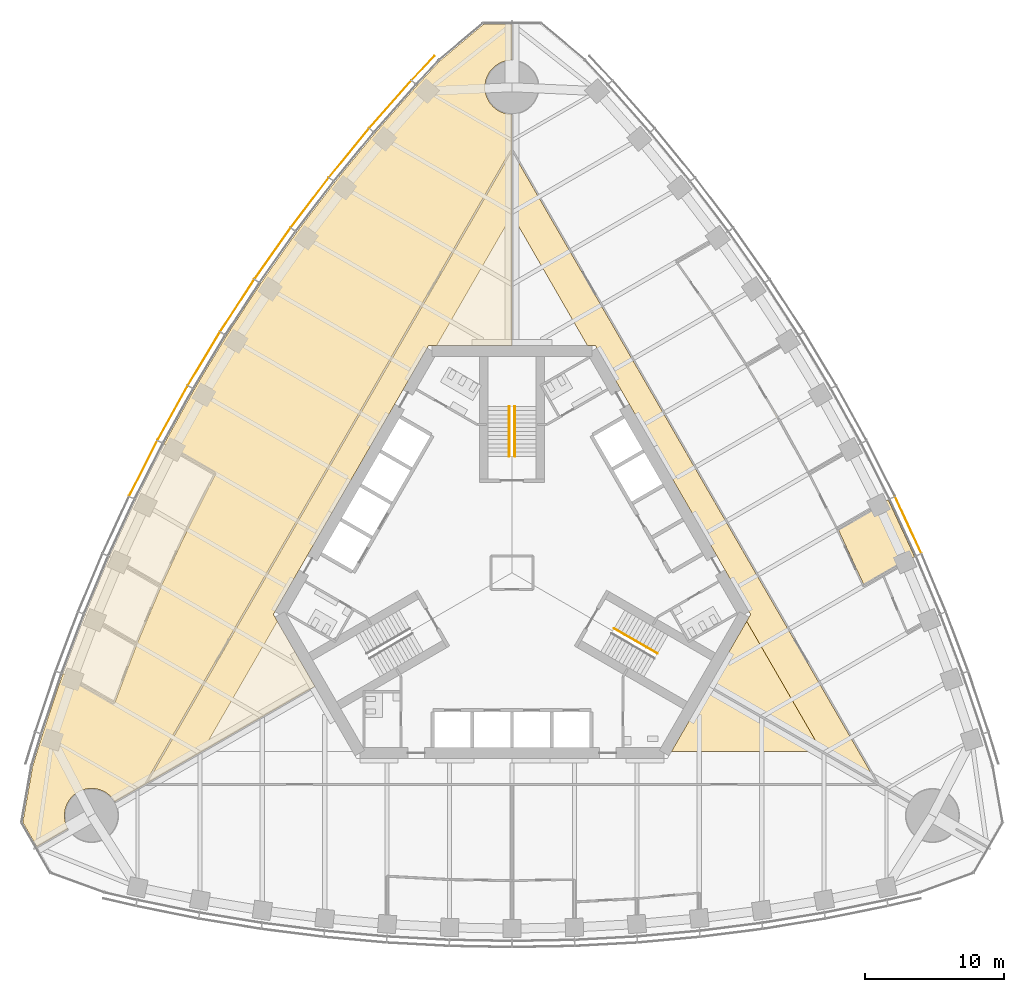
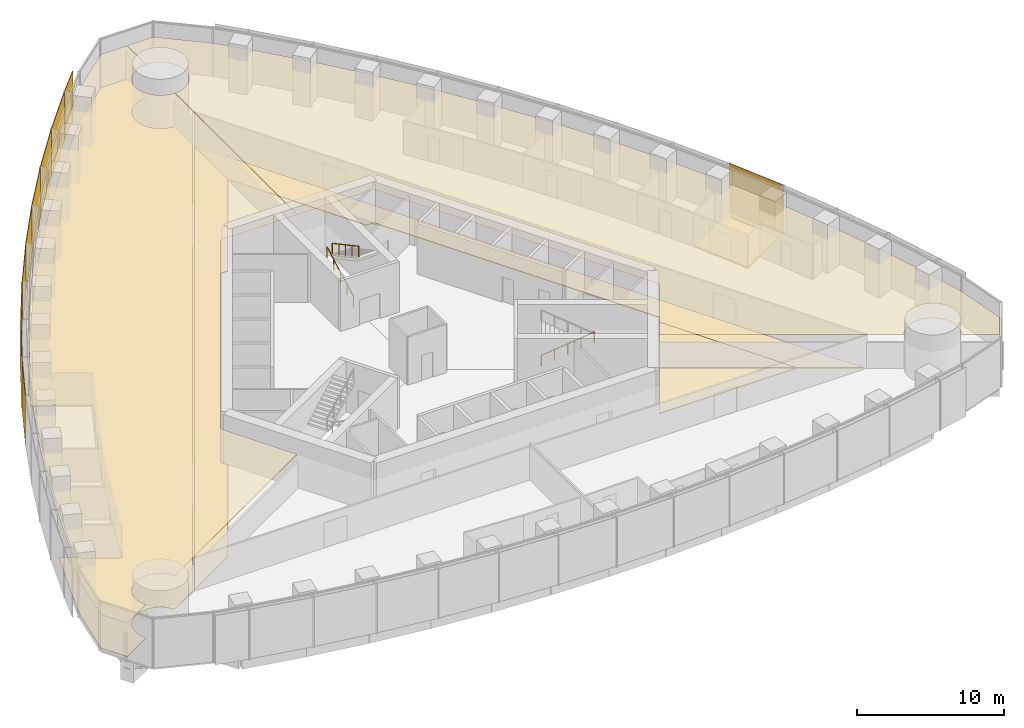
# One storey, part 16 of 19: 10 shading devices, 8 coverings, 3 railings.
"""IFC4 building model written with IfcOpenShell, lengths in metres."""

from ifc_helpers import new_model, si_unit, direction, frame, origin, origin_2d, place, context, subcontext, project, spatial, polyline, rectangle, circle, outline, extrude, material, layer, layer_set, type_object, element, save


model = new_model("IFC4")

# Units and contexts
model_context = context("Model", 3, precision=1e-05, world=origin(), true_north=direction((0.0, 1.0)))
body_context = subcontext(model_context, "Body", "Model", "MODEL_VIEW")
ifc_project = project(units=[si_unit("LENGTHUNIT", "METRE"), si_unit("AREAUNIT", "SQUARE_METRE"), si_unit("VOLUMEUNIT", "CUBIC_METRE"), si_unit("PLANEANGLEUNIT", "RADIAN"), si_unit("MASSUNIT", "GRAM", prefix="KILO")], contexts=[model_context])

# Site, building, storey
site_placement = place(None, origin())
site = spatial("IfcSite", under=ifc_project, at=site_placement, CompositionType="ELEMENT")
building_placement = place(site_placement, origin())
building = spatial("IfcBuilding", under=site, at=building_placement, Name="Trefoil Bronze Tower", CompositionType="ELEMENT")
storey_placement = place(building_placement, frame((0.0, 0.0, 119.89990234375)))
storey = spatial("IfcBuildingStorey", under=building, at=storey_placement, Name="L27", CompositionType="ELEMENT", Elevation=119.89990234375)

# Shading devices
ifc_material_1 = material(Name="Perforated bronze sheet", Category="bronze")
ifc_layer_1 = layer(ifc_material_1, 0.0400390625)
ifc_layer_set_1 = layer_set([ifc_layer_1], Name="Bronze solar screen panel")
shading_device_type = type_object("IfcShadingDeviceType", Name="Bronze solar screen panel", PredefinedType="SHUTTER", material=ifc_layer_set_1)
shading_device_1_placement = place(storey_placement, frame((28.563720703125, 3.444580078125, 0.050048828125), z_axis=(0.0, 0.0, 1.0), x_axis=(-0.419932995871, 0.907555110712, 0.0)))
element("IfcShadingDevice", 1, at=shading_device_1_placement, inside=storey, type_object=shading_device_type, Name="Solar screen CW-A L27 F2 bay 5", PredefinedType="SHUTTER", context=body_context, shape_type="SweptSolid", body=[
    extrude(rectangle(XDim=4.48828125, YDim=0.0400390625, at=origin_2d()), origin(), (0.0, 0.0, 1.0), 4.10009765625),
])
shading_device_2_placement = place(storey_placement, frame((-6.416748046875, 36.383544921875, 0.050048828125), z_axis=(0.0, 0.0, 1.0), x_axis=(-0.682535770759, -0.730852188636, 0.0)))
element("IfcShadingDevice", 2, at=shading_device_2_placement, inside=storey, type_object=shading_device_type, Name="Solar screen CW-A L27 F3 bay 1", PredefinedType="SHUTTER", context=body_context, shape_type="SweptSolid", body=[
    extrude(rectangle(XDim=2.39013671875, YDim=0.0400390625, at=origin_2d()), origin(), (0.0, 0.0, 1.0), 4.10009765625),
])
shading_device_3_placement = place(storey_placement, frame((-8.77197265625, 33.766845703125, 0.050048828125), z_axis=(0.0, 0.0, 1.0), x_axis=(-0.661751405978, -0.749723333428, 0.0)))
element("IfcShadingDevice", 3, at=shading_device_3_placement, inside=storey, type_object=shading_device_type, Name="Solar screen CW-A L27 F3 bay 2", PredefinedType="SHUTTER", context=body_context, shape_type="SweptSolid", body=[
    extrude(rectangle(XDim=4.56103515625, YDim=0.0400390625, at=origin_2d()), origin(), (0.0, 0.0, 1.0), 4.10009765625),
])
shading_device_4_placement = place(storey_placement, frame((-11.7490234375, 30.26708984375, 0.050048828125), z_axis=(0.0, 0.0, 1.0), x_axis=(-0.633839916024, -0.773464259584, 0.0)))
element("IfcShadingDevice", 4, at=shading_device_4_placement, inside=storey, type_object=shading_device_type, Name="Solar screen CW-A L27 F3 bay 3", PredefinedType="SHUTTER", context=body_context, shape_type="SweptSolid", body=[
    extrude(rectangle(XDim=4.5302734375, YDim=0.0400390625, at=origin_2d()), origin(), (0.0, 0.0, 1.0), 4.10009765625),
])
shading_device_5_placement = place(storey_placement, frame((-14.579345703125, 26.6826171875, 0.050048828125), z_axis=(0.0, 0.0, 1.0), x_axis=(-0.605252319983, -0.796033685943, 0.0)))
element("IfcShadingDevice", 5, at=shading_device_5_placement, inside=storey, type_object=shading_device_type, Name="Solar screen CW-A L27 F3 bay 4", PredefinedType="SHUTTER", context=body_context, shape_type="SweptSolid", body=[
    extrude(rectangle(XDim=4.50634765625, YDim=0.0400390625, at=origin_2d()), origin(), (0.0, 0.0, 1.0), 4.10009765625),
])
shading_device_6_placement = place(storey_placement, frame((-17.264892578125, 23.014404296875, 0.050048828125), z_axis=(0.0, 0.0, 1.0), x_axis=(-0.575999283275, -0.817450197667, 0.0)))
element("IfcShadingDevice", 6, at=shading_device_6_placement, inside=storey, type_object=shading_device_type, Name="Solar screen CW-A L27 F3 bay 5", PredefinedType="SHUTTER", context=body_context, shape_type="SweptSolid", body=[
    extrude(rectangle(XDim=4.48828125, YDim=0.0400390625, at=origin_2d()), origin(), (0.0, 0.0, 1.0), 4.10009765625),
])
shading_device_7_placement = place(storey_placement, frame((-19.8076171875, 19.263916015625, 0.050048828125), z_axis=(0.0, 0.0, 1.0), x_axis=(-0.546088612237, -0.837727418427, 0.0)))
element("IfcShadingDevice", 7, at=shading_device_7_placement, inside=storey, type_object=shading_device_type, Name="Solar screen CW-A L27 F3 bay 6", PredefinedType="SHUTTER", context=body_context, shape_type="SweptSolid", body=[
    extrude(rectangle(XDim=4.4765625, YDim=0.0400390625, at=origin_2d()), origin(), (0.0, 0.0, 1.0), 4.10009765625),
])
for number, where, z_axis, x_axis, name in (
    (8, (-22.208740234375, 15.431396484375, 0.050048828125), (0.0, 0.0, 1.0), (-0.515525413486, -0.856874289526, 0.0), "Solar screen CW-A L27 F3 bay 7"),
    (9, (-24.468505859375, 11.517578125, 0.050048828125), (0.0, 0.0, 1.0), (-0.484312195836, -0.874895249138, 0.0), "Solar screen CW-A L27 F3 bay 8"),
):
    element("IfcShadingDevice", number, at=place(storey_placement, frame(where, z_axis=z_axis, x_axis=x_axis)), inside=storey, type_object=shading_device_type, Name=name, PredefinedType="SHUTTER", context=body_context, shape_type="SweptSolid", body=[
        extrude(rectangle(XDim=4.470703125, YDim=0.0400390625, at=origin_2d()), origin(), (0.0, 0.0, 1.0), 4.10009765625),
    ])
shading_device_8_placement = place(storey_placement, frame((-26.5869140625, 7.52197265625, 0.050048828125), z_axis=(0.0, 0.0, 1.0), x_axis=(-0.452448919686, -0.891790320128, 0.0)))
element("IfcShadingDevice", 10, at=shading_device_8_placement, inside=storey, type_object=shading_device_type, Name="Solar screen CW-A L27 F3 bay 9", PredefinedType="SHUTTER", context=body_context, shape_type="SweptSolid", body=[
    extrude(rectangle(XDim=4.4765625, YDim=0.0400390625, at=origin_2d()), origin(), (0.0, 0.0, 1.0), 4.10009765625),
])

# Railings
ifc_material_2 = material(Name="Steel handrail", Category="steel")
railing_type = type_object("IfcRailingType", Name="Handrail 900", PredefinedType="HANDRAIL", material=ifc_material_2)
railing_1_placement = place(storey_placement, frame((7.365966796875, -4.021728515625, 0.16162109375)))
element("IfcRailing", 11, at=railing_1_placement, inside=storey, type_object=railing_type, Name="Handrail ST1 flight 1 L27", PredefinedType="HANDRAIL", context=body_context, shape_type="SweptSolid", body=[
    extrude(circle(Radius=0.02392578125, at=origin_2d()), frame((0.0, 0.0, 0.8759765625), z_axis=(0.76250339821, -0.440245697338, 0.474101564745), x_axis=(0.500012057535, 0.866018442252, 0.0)), (0.0, 0.0, 1.0), 4.088623046875),
    extrude(circle(Radius=0.02099609375, at=origin_2d()), origin(), (0.0, 0.0, 1.0), 0.851806640625),
    extrude(circle(Radius=0.02099609375, at=origin_2d()), frame((0.779296875, -0.449951171875, 0.484619140625)), (0.0, 0.0, 1.0), 0.851806640625),
    extrude(circle(Radius=0.02099609375, at=origin_2d()), frame((1.558837890625, -0.89990234375, 0.96923828125)), (0.0, 0.0, 1.0), 0.851806640625),
    extrude(circle(Radius=0.02099609375, at=origin_2d()), frame((2.33837890625, -1.35009765625, 1.453857421875)), (0.0, 0.0, 1.0), 0.851806640625),
    extrude(circle(Radius=0.02099609375, at=origin_2d()), frame((3.11767578125, -1.800048828125, 1.9384765625)), (0.0, 0.0, 1.0), 0.851806640625),
])
railing_2_placement = place(storey_placement, frame((-0.199951171875, 8.389892578125, 0.16162109375)))
element("IfcRailing", 12, at=railing_2_placement, inside=storey, type_object=railing_type, Name="Handrail ST2 flight 1 L27", PredefinedType="HANDRAIL", context=body_context, shape_type="SweptSolid", body=[
    extrude(circle(Radius=0.02392578125, at=origin_2d()), frame((0.0, 0.0, 0.8759765625), z_axis=(0.0, 0.880474934443, 0.474092701714), x_axis=(-1.0, 0.0, 0.0)), (0.0, 0.0, 1.0), 4.0888671875),
    extrude(circle(Radius=0.02099609375, at=origin_2d()), origin(), (0.0, 0.0, 1.0), 0.851806640625),
    extrude(circle(Radius=0.02099609375, at=origin_2d()), frame((0.0, 0.89990234375, 0.484619140625)), (0.0, 0.0, 1.0), 0.851806640625),
    extrude(circle(Radius=0.02099609375, at=origin_2d()), frame((0.0, 1.800048828125, 0.96923828125)), (0.0, 0.0, 1.0), 0.851806640625),
    extrude(circle(Radius=0.02099609375, at=origin_2d()), frame((0.0, 2.7001953125, 1.453857421875)), (0.0, 0.0, 1.0), 0.851806640625),
    extrude(circle(Radius=0.02099609375, at=origin_2d()), frame((0.0, 3.60009765625, 1.9384765625)), (0.0, 0.0, 1.0), 0.851806640625),
])
railing_3_placement = place(storey_placement, frame((0.199951171875, 11.989990234375, 2.26171875)))
element("IfcRailing", 13, at=railing_3_placement, inside=storey, type_object=railing_type, Name="Handrail ST2 flight 2 L27", PredefinedType="HANDRAIL", context=body_context, shape_type="SweptSolid", body=[
    extrude(circle(Radius=0.02392578125, at=origin_2d()), frame((0.0, 0.0, 0.8759765625), z_axis=(0.0, -0.880474934443, 0.474092701714), x_axis=(1.0, 0.0, 0.0)), (0.0, 0.0, 1.0), 4.0888671875),
    extrude(circle(Radius=0.02099609375, at=origin_2d()), origin(), (0.0, 0.0, 1.0), 0.851806640625),
    extrude(circle(Radius=0.02099609375, at=origin_2d()), frame((0.0, -0.89990234375, 0.484619140625)), (0.0, 0.0, 1.0), 0.851806640625),
    extrude(circle(Radius=0.02099609375, at=origin_2d()), frame((0.0, -1.800048828125, 0.96923828125)), (0.0, 0.0, 1.0), 0.851806640625),
    extrude(circle(Radius=0.02099609375, at=origin_2d()), frame((0.0, -2.7001953125, 1.453857421875)), (0.0, 0.0, 1.0), 0.851806640625),
    extrude(circle(Radius=0.02099609375, at=origin_2d()), frame((0.0, -3.60009765625, 1.9384765625)), (0.0, 0.0, 1.0), 0.851806640625),
])

# Coverings
ifc_material_3 = material(Name="Acoustic ceiling panels", Category="mineral fibre")
ifc_layer_2 = layer(ifc_material_3, 0.02001953125)
ifc_layer_set_2 = layer_set([ifc_layer_2], Name="Office ceiling 20")
covering_type_1 = type_object("IfcCoveringType", Name="Office ceiling 20", PredefinedType="CEILING", material=ifc_layer_set_2)
covering_1_placement = place(storey_placement, frame((0.0, 0.0, 2.900146484375)))
element("IfcCovering", 14, at=covering_1_placement, inside=storey, type_object=covering_type_1, Name="Ceiling L27 Trading floor F2", PredefinedType="CEILING", context=body_context, shape_type="SweptSolid", body=[
    extrude(outline(polyline([(6.847900390625, 35.130615234375), (9.885986328125, 31.6884765625), (12.776611328125, 28.1611328125), (15.522216796875, 24.55029296875), (18.124755859375, 20.856689453125), (20.585693359375, 17.081298828125), (22.906005859375, 13.224853515625), (25.085693359375, 9.287109375), (27.124755859375, 5.268310546875), (29.022216796875, 1.16748046875), (30.776611328125, -3.015625), (32.385986328125, -7.28271484375), (33.847900390625, -11.634765625), (34.5537109375, -13.94970703125), (35.2666015625, -17.99169921875), (34.247802734375, -19.755859375), (32.006103515625, -18.462646484375), (32.030517578125, -18.419189453125), (32.07373046875, -18.333740234375), (32.112548828125, -18.24609375), (32.14697265625, -18.156982421875), (32.177001953125, -18.066162109375), (32.202392578125, -17.973876953125), (32.223388671875, -17.88037109375), (32.23974609375, -17.7861328125), (32.25146484375, -17.691162109375), (32.258544921875, -17.595703125), (32.260986328125, -17.5), (32.258544921875, -17.404296875), (32.25146484375, -17.308837890625), (32.23974609375, -17.2138671875), (32.223388671875, -17.11962890625), (32.202392578125, -17.026123046875), (32.177001953125, -16.933837890625), (32.14697265625, -16.843017578125), (32.112548828125, -16.75390625), (32.07373046875, -16.666259765625), (32.030517578125, -16.580810546875), (31.9833984375, -16.49755859375), (31.932373046875, -16.41650390625), (31.877197265625, -16.33837890625), (31.818359375, -16.262939453125), (31.755615234375, -16.1904296875), (31.689697265625, -16.12109375), (31.620361328125, -16.05517578125), (31.548095703125, -15.99267578125), (31.472412109375, -15.93359375), (31.394287109375, -15.878662109375), (31.3134765625, -15.827392578125), (31.22998046875, -15.7802734375), (31.14453125, -15.7373046875), (31.05712890625, -15.698486328125), (30.9677734375, -15.6640625), (30.876953125, -15.634033203125), (30.78466796875, -15.6083984375), (30.69140625, -15.58740234375), (30.596923828125, -15.571044921875), (30.501953125, -15.559326171875), (30.406494140625, -15.55224609375), (30.310791015625, -15.550048828125), (30.215087890625, -15.55224609375), (30.119873046875, -15.559326171875), (30.02490234375, -15.571044921875), (29.930419921875, -15.58740234375), (29.837158203125, -15.6083984375), (29.744873046875, -15.634033203125), (29.654052734375, -15.6640625), (29.564697265625, -15.698486328125), (29.477294921875, -15.7373046875), (29.3916015625, -15.7802734375), (29.308349609375, -15.827392578125), (29.2275390625, -15.878662109375), (29.1494140625, -15.93359375), (29.07373046875, -15.99267578125), (29.001220703125, -16.05517578125), (28.931884765625, -16.12109375), (28.865966796875, -16.1904296875), (28.803466796875, -16.262939453125), (28.74462890625, -16.33837890625), (28.689453125, -16.41650390625), (28.628662109375, -16.514404296875), (14.205810546875, -8.194580078125), (17.205078125, -3.0), (6.00439453125, 16.39990234375), (0.006103515625, 16.39990234375), (0.012451171875, 33.05029296875), (0.095703125, 33.05224609375), (0.191162109375, 33.059326171875), (0.2861328125, 33.071044921875), (0.38037109375, 33.08740234375), (0.473876953125, 33.1083984375), (0.566162109375, 33.134033203125), (0.656982421875, 33.1640625), (0.74609375, 33.198486328125), (0.833740234375, 33.2373046875), (0.919189453125, 33.2802734375), (1.00244140625, 33.327392578125), (1.08349609375, 33.378662109375), (1.16162109375, 33.43359375), (1.237060546875, 33.49267578125), (1.3095703125, 33.55517578125), (1.37890625, 33.62109375), (1.44482421875, 33.6904296875), (1.50732421875, 33.762939453125), (1.56640625, 33.83837890625), (1.621337890625, 33.91650390625), (1.672607421875, 33.99755859375), (1.7197265625, 34.080810546875), (1.7626953125, 34.166259765625), (1.801513671875, 34.25390625), (1.8359375, 34.343017578125), (1.865966796875, 34.433837890625), (1.8916015625, 34.526123046875), (1.91259765625, 34.61962890625), (1.928955078125, 34.7138671875), (1.940673828125, 34.808837890625), (1.94775390625, 34.904296875), (1.949951171875, 35.0), (1.94775390625, 35.095703125), (1.940673828125, 35.191162109375), (1.928955078125, 35.2861328125), (1.91259765625, 35.38037109375), (1.8916015625, 35.473876953125), (1.865966796875, 35.566162109375), (1.8359375, 35.656982421875), (1.801513671875, 35.74609375), (1.7626953125, 35.833740234375), (1.7197265625, 35.919189453125), (1.672607421875, 36.00244140625), (1.621337890625, 36.08349609375), (1.56640625, 36.16162109375), (1.50732421875, 36.237060546875), (1.44482421875, 36.3095703125), (1.37890625, 36.37890625), (1.3095703125, 36.44482421875), (1.237060546875, 36.50732421875), (1.16162109375, 36.56640625), (1.08349609375, 36.621337890625), (1.00244140625, 36.672607421875), (0.919189453125, 36.7197265625), (0.833740234375, 36.7626953125), (0.74609375, 36.801513671875), (0.656982421875, 36.8359375), (0.566162109375, 36.865966796875), (0.473876953125, 36.8916015625), (0.38037109375, 36.91259765625), (0.2861328125, 36.928955078125), (0.191162109375, 36.940673828125), (0.095703125, 36.94775390625), (0.013916015625, 36.94970703125), (0.014892578125, 39.53759765625), (2.052001953125, 39.53759765625), (5.1962890625, 36.8994140625), (6.847900390625, 35.130615234375)])), origin(), (0.0, 0.0, 1.0), 0.02001953125),
])
covering_2_placement = place(storey_placement, frame((0.0, 0.0, 2.900146484375)))
element("IfcCovering", 15, at=covering_2_placement, inside=storey, type_object=covering_type_1, Name="Ceiling L27 Operations floor F3", PredefinedType="CEILING", context=body_context, shape_type="SweptSolid", body=[
    extrude(outline(polyline([(-33.847900390625, -11.634765625), (-32.385986328125, -7.28271484375), (-30.776611328125, -3.015625), (-29.022216796875, 1.16748046875), (-27.124755859375, 5.268310546875), (-25.085693359375, 9.287109375), (-22.906005859375, 13.224853515625), (-20.585693359375, 17.081298828125), (-18.124755859375, 20.856689453125), (-15.522216796875, 24.55029296875), (-12.776611328125, 28.1611328125), (-9.885986328125, 31.6884765625), (-6.847900390625, 35.130615234375), (-5.1962890625, 36.8994140625), (-2.052001953125, 39.53759765625), (-0.014892578125, 39.53759765625), (-0.013916015625, 36.94970703125), (-0.095703125, 36.94775390625), (-0.191162109375, 36.940673828125), (-0.2861328125, 36.928955078125), (-0.38037109375, 36.91259765625), (-0.473876953125, 36.8916015625), (-0.566162109375, 36.865966796875), (-0.656982421875, 36.8359375), (-0.74609375, 36.801513671875), (-0.833740234375, 36.7626953125), (-0.919189453125, 36.7197265625), (-1.00244140625, 36.672607421875), (-1.08349609375, 36.621337890625), (-1.16162109375, 36.56640625), (-1.237060546875, 36.50732421875), (-1.3095703125, 36.44482421875), (-1.37890625, 36.37890625), (-1.44482421875, 36.3095703125), (-1.50732421875, 36.237060546875), (-1.56640625, 36.16162109375), (-1.621337890625, 36.08349609375), (-1.672607421875, 36.00244140625), (-1.7197265625, 35.919189453125), (-1.7626953125, 35.833740234375), (-1.801513671875, 35.74609375), (-1.8359375, 35.656982421875), (-1.865966796875, 35.566162109375), (-1.8916015625, 35.473876953125), (-1.91259765625, 35.38037109375), (-1.928955078125, 35.2861328125), (-1.940673828125, 35.191162109375), (-1.94775390625, 35.095703125), (-1.949951171875, 35.0), (-1.94775390625, 34.904296875), (-1.940673828125, 34.808837890625), (-1.928955078125, 34.7138671875), (-1.91259765625, 34.61962890625), (-1.8916015625, 34.526123046875), (-1.865966796875, 34.433837890625), (-1.8359375, 34.343017578125), (-1.801513671875, 34.25390625), (-1.7626953125, 34.166259765625), (-1.7197265625, 34.080810546875), (-1.672607421875, 33.99755859375), (-1.621337890625, 33.91650390625), (-1.56640625, 33.83837890625), (-1.50732421875, 33.762939453125), (-1.44482421875, 33.6904296875), (-1.37890625, 33.62109375), (-1.3095703125, 33.55517578125), (-1.237060546875, 33.49267578125), (-1.16162109375, 33.43359375), (-1.08349609375, 33.378662109375), (-1.00244140625, 33.327392578125), (-0.919189453125, 33.2802734375), (-0.833740234375, 33.2373046875), (-0.74609375, 33.198486328125), (-0.656982421875, 33.1640625), (-0.566162109375, 33.134033203125), (-0.473876953125, 33.1083984375), (-0.38037109375, 33.08740234375), (-0.2861328125, 33.071044921875), (-0.191162109375, 33.059326171875), (-0.095703125, 33.05224609375), (-0.012451171875, 33.05029296875), (-0.006103515625, 16.39990234375), (-6.00439453125, 16.39990234375), (-17.205078125, -3.0), (-14.205810546875, -8.194580078125), (-28.628662109375, -16.514404296875), (-28.689453125, -16.41650390625), (-28.74462890625, -16.33837890625), (-28.803466796875, -16.262939453125), (-28.865966796875, -16.1904296875), (-28.931884765625, -16.12109375), (-29.001220703125, -16.05517578125), (-29.07373046875, -15.99267578125), (-29.1494140625, -15.93359375), (-29.2275390625, -15.878662109375), (-29.308349609375, -15.827392578125), (-29.3916015625, -15.7802734375), (-29.477294921875, -15.7373046875), (-29.564697265625, -15.698486328125), (-29.654052734375, -15.6640625), (-29.744873046875, -15.634033203125), (-29.837158203125, -15.6083984375), (-29.930419921875, -15.58740234375), (-30.02490234375, -15.571044921875), (-30.119873046875, -15.559326171875), (-30.215087890625, -15.55224609375), (-30.310791015625, -15.550048828125), (-30.406494140625, -15.55224609375), (-30.501953125, -15.559326171875), (-30.596923828125, -15.571044921875), (-30.69140625, -15.58740234375), (-30.78466796875, -15.6083984375), (-30.876953125, -15.634033203125), (-30.9677734375, -15.6640625), (-31.05712890625, -15.698486328125), (-31.14453125, -15.7373046875), (-31.22998046875, -15.7802734375), (-31.3134765625, -15.827392578125), (-31.394287109375, -15.878662109375), (-31.472412109375, -15.93359375), (-31.548095703125, -15.99267578125), (-31.620361328125, -16.05517578125), (-31.689697265625, -16.12109375), (-31.755615234375, -16.1904296875), (-31.818359375, -16.262939453125), (-31.877197265625, -16.33837890625), (-31.932373046875, -16.41650390625), (-31.9833984375, -16.49755859375), (-32.030517578125, -16.580810546875), (-32.07373046875, -16.666259765625), (-32.112548828125, -16.75390625), (-32.14697265625, -16.843017578125), (-32.177001953125, -16.933837890625), (-32.202392578125, -17.026123046875), (-32.223388671875, -17.11962890625), (-32.23974609375, -17.2138671875), (-32.25146484375, -17.308837890625), (-32.258544921875, -17.404296875), (-32.260986328125, -17.5), (-32.258544921875, -17.595703125), (-32.25146484375, -17.691162109375), (-32.23974609375, -17.7861328125), (-32.223388671875, -17.88037109375), (-32.202392578125, -17.973876953125), (-32.177001953125, -18.066162109375), (-32.14697265625, -18.156982421875), (-32.112548828125, -18.24609375), (-32.07373046875, -18.333740234375), (-32.030517578125, -18.419189453125), (-32.006103515625, -18.462646484375), (-34.247802734375, -19.755859375), (-35.2666015625, -17.99169921875), (-34.5537109375, -13.94970703125), (-33.847900390625, -11.634765625)])), origin(), (0.0, 0.0, 1.0), 0.02001953125),
])
ifc_material_4 = material(Name="Raised access floor panels", Category="steel")
ifc_layer_3 = layer(ifc_material_4, 0.050048828125)
ifc_layer_set_3 = layer_set([ifc_layer_3], Name="Raised access floor 150")
covering_type_2 = type_object("IfcCoveringType", Name="Raised access floor 150", PredefinedType="FLOORING", material=ifc_layer_set_3)
covering_3_placement = place(storey_placement, frame((0.0, 0.0, 0.10009765625)))
element("IfcCovering", 16, at=covering_3_placement, inside=storey, type_object=covering_type_2, Name="Raised floor L27 Trading floor F1", PredefinedType="FLOORING", context=body_context, shape_type="SweptSolid", body=[
    extrude(outline(polyline([(11.4892578125, -12.89990234375), (14.19970703125, -8.205322265625), (22.32421875, -12.89990234375), (11.4892578125, -12.89990234375)])), origin(), (0.0, 0.0, 1.0), 0.050048828125),
])
covering_4_placement = place(storey_placement, frame((0.0, 0.0, 0.10009765625)))
element("IfcCovering", 17, at=covering_4_placement, inside=storey, type_object=covering_type_2, Name="Raised floor L27 Break room F2", PredefinedType="FLOORING", context=body_context, shape_type="SweptSolid", body=[
    extrude(outline(polyline([(27.124755859375, 5.268310546875), (29.022216796875, 1.16748046875), (27.73291015625, 0.423095703125), (27.702880859375, 0.47509765625), (25.368408203125, -0.87255859375), (23.521728515625, 3.11865234375), (25.869873046875, 4.474365234375), (25.83984375, 4.5263671875), (27.124755859375, 5.268310546875)])), origin(), (0.0, 0.0, 1.0), 0.050048828125),
])
covering_5_placement = place(storey_placement, frame((0.0, 0.0, 0.10009765625)))
element("IfcCovering", 18, at=covering_5_placement, inside=storey, type_object=covering_type_2, Name="Raised floor L27 Corridor F2", PredefinedType="FLOORING", context=body_context, shape_type="SweptSolid", body=[
    extrude(outline(polyline([(26.31591796875, -15.180419921875), (22.333740234375, -12.88330078125), (16.91650390625, -3.5), (17.205078125, -3.0), (6.00439453125, 16.39990234375), (5.427001953125, 16.39990234375), (0.009765625, 25.783203125), (0.011474609375, 30.38037109375), (26.31591796875, -15.180419921875)])), origin(), (0.0, 0.0, 1.0), 0.050048828125),
])
covering_6_placement = place(storey_placement, frame((0.0, 0.0, 0.10009765625)))
element("IfcCovering", 19, at=covering_6_placement, inside=storey, type_object=covering_type_2, Name="Raised floor L27 Trading floor F2", PredefinedType="FLOORING", context=body_context, shape_type="SweptSolid", body=[
    extrude(outline(polyline([(22.333740234375, -12.88330078125), (14.205810546875, -8.194580078125), (16.91650390625, -3.5), (22.333740234375, -12.88330078125)])), origin(), (0.0, 0.0, 1.0), 0.050048828125),
])
covering_7_placement = place(storey_placement, frame((0.0, 0.0, 0.10009765625)))
element("IfcCovering", 20, at=covering_7_placement, inside=storey, type_object=covering_type_2, Name="Raised floor L27 Corridor F3", PredefinedType="FLOORING", context=body_context, shape_type="SweptSolid", body=[
    extrude(outline(polyline([(-0.011474609375, 30.38037109375), (-0.009765625, 25.783203125), (-5.427001953125, 16.39990234375), (-6.00439453125, 16.39990234375), (-17.205078125, -3.0), (-16.91650390625, -3.5), (-22.333740234375, -12.88330078125), (-26.31591796875, -15.180419921875), (-0.011474609375, 30.38037109375)])), origin(), (0.0, 0.0, 1.0), 0.050048828125),
])
covering_8_placement = place(storey_placement, frame((0.0, 0.0, 0.10009765625)))
element("IfcCovering", 21, at=covering_8_placement, inside=storey, type_object=covering_type_2, Name="Raised floor L27 Operations floor F3", PredefinedType="FLOORING", context=body_context, shape_type="SweptSolid", body=[
    extrude(outline(polyline([(-33.847900390625, -11.634765625), (-32.385986328125, -7.28271484375), (-31.083251953125, -8.034912109375), (-31.11328125, -8.0869140625), (-28.735595703125, -9.459716796875), (-28.70556640625, -9.40771484375), (-28.6494140625, -9.4287109375), (-27.040283203125, -5.162841796875), (-25.28662109375, -0.981689453125), (-23.89111328125, 2.03466796875), (-22.85205078125, 4.177978515625), (-21.351806640625, 7.135009765625), (-21.4052734375, 7.162109375), (-21.375244140625, 7.214111328125), (-23.773193359375, 8.5986328125), (-23.80322265625, 8.546630859375), (-25.085693359375, 9.287109375), (-22.906005859375, 13.224853515625), (-20.585693359375, 17.081298828125), (-18.124755859375, 20.856689453125), (-15.522216796875, 24.55029296875), (-12.776611328125, 28.1611328125), (-9.885986328125, 31.6884765625), (-6.847900390625, 35.130615234375), (-5.1962890625, 36.8994140625), (-2.052001953125, 39.53759765625), (-0.014892578125, 39.53759765625), (-0.013916015625, 36.94970703125), (-0.095703125, 36.94775390625), (-0.191162109375, 36.940673828125), (-0.2861328125, 36.928955078125), (-0.38037109375, 36.91259765625), (-0.473876953125, 36.8916015625), (-0.566162109375, 36.865966796875), (-0.656982421875, 36.8359375), (-0.74609375, 36.801513671875), (-0.833740234375, 36.7626953125), (-0.919189453125, 36.7197265625), (-1.00244140625, 36.672607421875), (-1.08349609375, 36.621337890625), (-1.16162109375, 36.56640625), (-1.237060546875, 36.50732421875), (-1.3095703125, 36.44482421875), (-1.37890625, 36.37890625), (-1.44482421875, 36.3095703125), (-1.50732421875, 36.237060546875), (-1.56640625, 36.16162109375), (-1.621337890625, 36.08349609375), (-1.672607421875, 36.00244140625), (-1.7197265625, 35.919189453125), (-1.7626953125, 35.833740234375), (-1.801513671875, 35.74609375), (-1.8359375, 35.656982421875), (-1.865966796875, 35.566162109375), (-1.8916015625, 35.473876953125), (-1.91259765625, 35.38037109375), (-1.928955078125, 35.2861328125), (-1.940673828125, 35.191162109375), (-1.94775390625, 35.095703125), (-1.949951171875, 35.0), (-1.94775390625, 34.904296875), (-1.940673828125, 34.808837890625), (-1.928955078125, 34.7138671875), (-1.91259765625, 34.61962890625), (-1.8916015625, 34.526123046875), (-1.865966796875, 34.433837890625), (-1.8359375, 34.343017578125), (-1.801513671875, 34.25390625), (-1.7626953125, 34.166259765625), (-1.7197265625, 34.080810546875), (-1.672607421875, 33.99755859375), (-1.621337890625, 33.91650390625), (-1.56640625, 33.83837890625), (-1.50732421875, 33.762939453125), (-1.44482421875, 33.6904296875), (-1.37890625, 33.62109375), (-1.3095703125, 33.55517578125), (-1.237060546875, 33.49267578125), (-1.16162109375, 33.43359375), (-1.08349609375, 33.378662109375), (-1.00244140625, 33.327392578125), (-0.919189453125, 33.2802734375), (-0.833740234375, 33.2373046875), (-0.74609375, 33.198486328125), (-0.656982421875, 33.1640625), (-0.566162109375, 33.134033203125), (-0.473876953125, 33.1083984375), (-0.38037109375, 33.08740234375), (-0.2861328125, 33.071044921875), (-0.191162109375, 33.059326171875), (-0.095703125, 33.05224609375), (-0.012451171875, 33.05029296875), (-0.011474609375, 30.488525390625), (-0.068359375, 30.521484375), (-26.466552734375, -15.201416015625), (-26.40966796875, -15.234375), (-28.628662109375, -16.514404296875), (-28.689453125, -16.41650390625), (-28.74462890625, -16.33837890625), (-28.803466796875, -16.262939453125), (-28.865966796875, -16.1904296875), (-28.931884765625, -16.12109375), (-29.001220703125, -16.05517578125), (-29.07373046875, -15.99267578125), (-29.1494140625, -15.93359375), (-29.2275390625, -15.878662109375), (-29.308349609375, -15.827392578125), (-29.3916015625, -15.7802734375), (-29.477294921875, -15.7373046875), (-29.564697265625, -15.698486328125), (-29.654052734375, -15.6640625), (-29.744873046875, -15.634033203125), (-29.837158203125, -15.6083984375), (-29.930419921875, -15.58740234375), (-30.02490234375, -15.571044921875), (-30.119873046875, -15.559326171875), (-30.215087890625, -15.55224609375), (-30.310791015625, -15.550048828125), (-30.406494140625, -15.55224609375), (-30.501953125, -15.559326171875), (-30.596923828125, -15.571044921875), (-30.69140625, -15.58740234375), (-30.78466796875, -15.6083984375), (-30.876953125, -15.634033203125), (-30.9677734375, -15.6640625), (-31.05712890625, -15.698486328125), (-31.14453125, -15.7373046875), (-31.22998046875, -15.7802734375), (-31.3134765625, -15.827392578125), (-31.394287109375, -15.878662109375), (-31.472412109375, -15.93359375), (-31.548095703125, -15.99267578125), (-31.620361328125, -16.05517578125), (-31.689697265625, -16.12109375), (-31.755615234375, -16.1904296875), (-31.818359375, -16.262939453125), (-31.877197265625, -16.33837890625), (-31.932373046875, -16.41650390625), (-31.9833984375, -16.49755859375), (-32.030517578125, -16.580810546875), (-32.07373046875, -16.666259765625), (-32.112548828125, -16.75390625), (-32.14697265625, -16.843017578125), (-32.177001953125, -16.933837890625), (-32.202392578125, -17.026123046875), (-32.223388671875, -17.11962890625), (-32.23974609375, -17.2138671875), (-32.25146484375, -17.308837890625), (-32.258544921875, -17.404296875), (-32.260986328125, -17.5), (-32.258544921875, -17.595703125), (-32.25146484375, -17.691162109375), (-32.23974609375, -17.7861328125), (-32.223388671875, -17.88037109375), (-32.202392578125, -17.973876953125), (-32.177001953125, -18.066162109375), (-32.14697265625, -18.156982421875), (-32.112548828125, -18.24609375), (-32.07373046875, -18.333740234375), (-32.030517578125, -18.419189453125), (-32.006103515625, -18.462646484375), (-34.247802734375, -19.755859375), (-35.2666015625, -17.99169921875), (-34.5537109375, -13.94970703125), (-33.847900390625, -11.634765625)])), origin(), (0.0, 0.0, 1.0), 0.050048828125),
])

save(model, "model.ifc")
